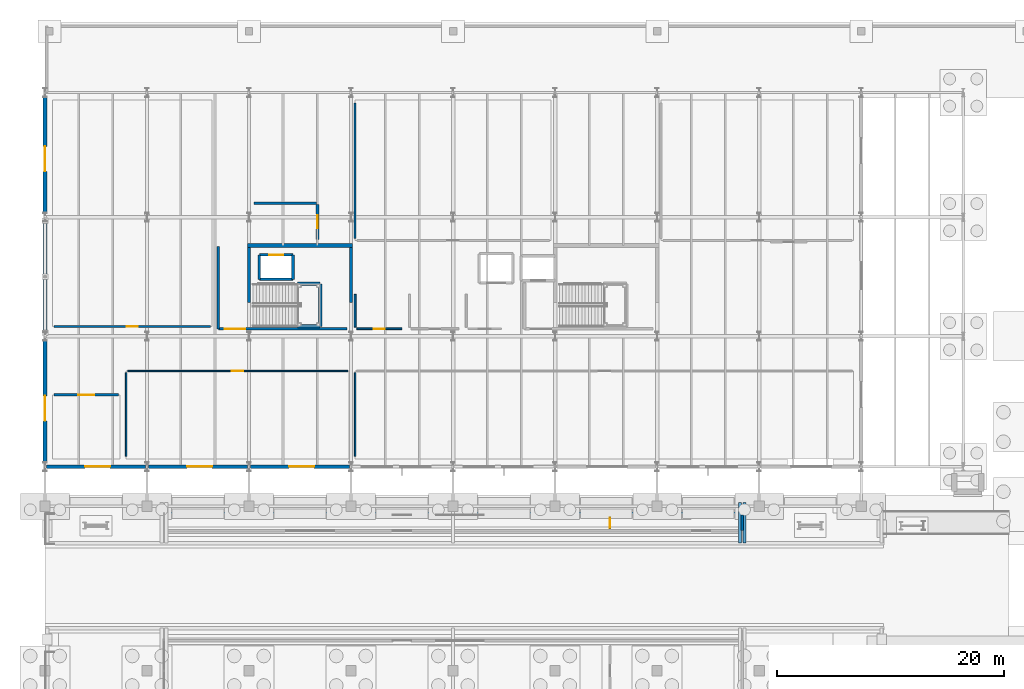
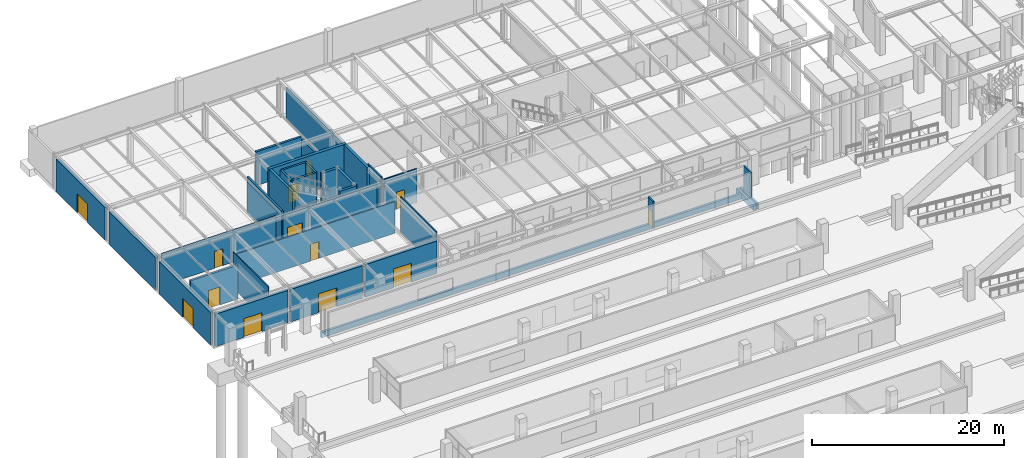
# One storey, part 103 of 160: 33 walls, 13 doors, 13 openings.
"""IFC4 building model written with IfcOpenShell, lengths in metres."""

from ifc_helpers import new_model, si_unit, direction, frame, frame_2d, origin, place, context, subcontext, project, spatial, rectangle, extrude, material, layer, layer_set, type_object, element, fill, save


model = new_model("IFC4")

# Units and contexts
model_context = context("Model", 3, precision=1e-05, world=origin(), true_north=direction((0.0, 1.0)))
body_context = subcontext(model_context, "Body", "Model", "MODEL_VIEW")
ifc_project = project(units=[si_unit("LENGTHUNIT", "METRE"), si_unit("AREAUNIT", "SQUARE_METRE"), si_unit("VOLUMEUNIT", "CUBIC_METRE"), si_unit("PLANEANGLEUNIT", "RADIAN"), si_unit("MASSUNIT", "GRAM", prefix="KILO")], contexts=[model_context])

# Site, building, storey
site_placement = place(None, origin())
site = spatial("IfcSite", under=ifc_project, at=site_placement, CompositionType="ELEMENT")
building_placement = place(site_placement, origin())
building = spatial("IfcBuilding", under=site, at=building_placement, Name="Marlcrest Central Station", CompositionType="ELEMENT")
storey_placement = place(building_placement, origin())
storey = spatial("IfcBuildingStorey", under=building, at=storey_placement, Name="L00", CompositionType="ELEMENT", Elevation=0.0)

# Wall, opening, door
ifc_material_1 = material(Name="Concrete C40/50", Category="concrete")
ifc_layer_1 = layer(ifc_material_1, 0.320068359375, Name="EW-01")
ifc_layer_set_1 = layer_set([ifc_layer_1], Name="Concrete C40/50")
wall_type_1 = type_object("IfcWallType", Name="EW-01", PredefinedType="SOLIDWALL", material=ifc_layer_set_1)
wall_1_placement = place(storey_placement, frame((8.85009765625, 99.0, 0.0), z_axis=(0.0, 0.0, 1.0), x_axis=(-1.0, 0.0, 0.0)))
wall_1 = element("IfcWall", 1, at=wall_1_placement, inside=storey, type_object=wall_type_1, Name="ewall-L00-0097", PredefinedType="SOLIDWALL", context=body_context, shape_type="SweptSolid", body=[
    extrude(rectangle(XDim=8.7001953125, YDim=0.320068359375, at=frame_2d((4.35009765625, 0.0))), origin(), (0.0, 0.0, 1.0), 4.14990234375),
])
opening_1_placement = place(wall_1_placement, frame((3.10009765625, 0.0, 0.0)))
opening_1 = element("IfcOpeningElement", 2, at=opening_1_placement, cuts=wall_1, Name="Opening ED-01", PredefinedType="OPENING", context=body_context, shape_type="SweptSolid", body=[
    extrude(rectangle(XDim=2.199951171875, YDim=2.39990234375, at=frame_2d((1.10009765625, 1.199951171875))), frame((0.0, 0.169921875, 0.0), z_axis=(0.0, -1.0, 0.0), x_axis=(1.0, 0.0, 0.0)), (0.0, 0.0, 1.0), 0.340087890625),
])
ifc_material_2 = material(Name="Thermally broken anodised aluminium and laminated safety glass", Category="aluminium")
door_type_1 = type_object("IfcDoorType", Name="ED-01", OperationType="DOUBLE_DOOR_SINGLE_SWING", PredefinedType="DOOR", material=ifc_material_2)
door_1_placement = place(opening_1_placement, origin())
door_1 = element("IfcDoor", 3, at=door_1_placement, inside=storey, type_object=door_type_1, Name="Operations South Exit Door 031", OperationType="DOUBLE_DOOR_SINGLE_SWING", OverallHeight=2.39990234375, OverallWidth=2.199951171875, PredefinedType="DOOR", context=body_context, shape_type="SweptSolid", body=[
    extrude(rectangle(XDim=2.199951171875, YDim=2.39990234375, at=frame_2d((1.10009765625, 1.199951171875))), frame((0.0, 0.02490234375, 0.0), z_axis=(0.0, -1.0, 0.0), x_axis=(1.0, 0.0, 0.0)), (0.0, 0.0, 1.0), 0.050048828125),
])
fill(opening_1, door_1)

wall_2_placement = place(storey_placement, frame((17.85009765625, 99.0, 0.0), z_axis=(0.0, 0.0, 1.0), x_axis=(-1.0, 0.0, 0.0)))
wall_2 = element("IfcWall", 4, at=wall_2_placement, inside=storey, type_object=wall_type_1, Name="ewall-L00-0098", PredefinedType="SOLIDWALL", context=body_context, shape_type="SweptSolid", body=[
    extrude(rectangle(XDim=8.7001953125, YDim=0.320068359375, at=frame_2d((4.35009765625, 0.0))), origin(), (0.0, 0.0, 1.0), 4.14990234375),
])
opening_2_placement = place(wall_2_placement, frame((3.10009765625, 0.0, 0.0)))
opening_2 = element("IfcOpeningElement", 5, at=opening_2_placement, cuts=wall_2, Name="Opening ED-01", PredefinedType="OPENING", context=body_context, shape_type="SweptSolid", body=[
    extrude(rectangle(XDim=2.199951171875, YDim=2.39990234375, at=frame_2d((1.10009765625, 1.199951171875))), frame((0.0, 0.169921875, 0.0), z_axis=(0.0, -1.0, 0.0), x_axis=(1.0, 0.0, 0.0)), (0.0, 0.0, 1.0), 0.340087890625),
])
door_2_placement = place(opening_2_placement, origin())
door_2 = element("IfcDoor", 6, at=door_2_placement, inside=storey, type_object=door_type_1, Name="Operations South Exit Door 032", OperationType="DOUBLE_DOOR_SINGLE_SWING", OverallHeight=2.39990234375, OverallWidth=2.199951171875, PredefinedType="DOOR", context=body_context, shape_type="SweptSolid", body=[
    extrude(rectangle(XDim=2.199951171875, YDim=2.39990234375, at=frame_2d((1.10009765625, 1.199951171875))), frame((0.0, 0.02490234375, 0.0), z_axis=(0.0, -1.0, 0.0), x_axis=(1.0, 0.0, 0.0)), (0.0, 0.0, 1.0), 0.050048828125),
])
fill(opening_2, door_2)

wall_3_placement = place(storey_placement, frame((26.85009765625, 99.0, 0.0), z_axis=(0.0, 0.0, 1.0), x_axis=(-1.0, 0.0, 0.0)))
wall_3 = element("IfcWall", 7, at=wall_3_placement, inside=storey, type_object=wall_type_1, Name="ewall-L00-0099", PredefinedType="SOLIDWALL", context=body_context, shape_type="SweptSolid", body=[
    extrude(rectangle(XDim=8.7001953125, YDim=0.320068359375, at=frame_2d((4.35009765625, 0.0))), origin(), (0.0, 0.0, 1.0), 4.14990234375),
])
opening_3_placement = place(wall_3_placement, frame((3.10009765625, 0.0, 0.0)))
opening_3 = element("IfcOpeningElement", 8, at=opening_3_placement, cuts=wall_3, Name="Opening ED-01", PredefinedType="OPENING", context=body_context, shape_type="SweptSolid", body=[
    extrude(rectangle(XDim=2.199951171875, YDim=2.39990234375, at=frame_2d((1.10009765625, 1.199951171875))), frame((0.0, 0.169921875, 0.0), z_axis=(0.0, -1.0, 0.0), x_axis=(1.0, 0.0, 0.0)), (0.0, 0.0, 1.0), 0.340087890625),
])
door_3_placement = place(opening_3_placement, origin())
door_3 = element("IfcDoor", 9, at=door_3_placement, inside=storey, type_object=door_type_1, Name="Operations South Exit Door 033", OperationType="DOUBLE_DOOR_SINGLE_SWING", OverallHeight=2.39990234375, OverallWidth=2.199951171875, PredefinedType="DOOR", context=body_context, shape_type="SweptSolid", body=[
    extrude(rectangle(XDim=2.199951171875, YDim=2.39990234375, at=frame_2d((1.10009765625, 1.199951171875))), frame((0.0, 0.02490234375, 0.0), z_axis=(0.0, -1.0, 0.0), x_axis=(1.0, 0.0, 0.0)), (0.0, 0.0, 1.0), 0.050048828125),
])
fill(opening_3, door_3)

wall_4_placement = place(storey_placement, frame((0.0, 99.39990234375, 0.0), z_axis=(0.0, 0.0, 1.0), x_axis=(0.0, 1.0, 0.0)))
wall_4 = element("IfcWall", 10, at=wall_4_placement, inside=storey, type_object=wall_type_1, Name="ewall-L00-0105", PredefinedType="SOLIDWALL", context=body_context, shape_type="SweptSolid", body=[
    extrude(rectangle(XDim=10.7001953125, YDim=0.320068359375, at=frame_2d((5.35009765625, 0.0))), origin(), (0.0, 0.0, 1.0), 4.14990234375),
])
opening_4_placement = place(wall_4_placement, frame((3.64990234375, 0.0, 0.0)))
opening_4 = element("IfcOpeningElement", 11, at=opening_4_placement, cuts=wall_4, Name="Opening ED-01", PredefinedType="OPENING", context=body_context, shape_type="SweptSolid", body=[
    extrude(rectangle(XDim=2.199951171875, YDim=2.39990234375, at=frame_2d((1.10009765625, 1.199951171875))), frame((0.0, 0.169921875, 0.0), z_axis=(0.0, -1.0, 0.0), x_axis=(1.0, 0.0, 0.0)), (0.0, 0.0, 1.0), 0.340087890625),
])
door_4_placement = place(opening_4_placement, origin())
door_4 = element("IfcDoor", 12, at=door_4_placement, inside=storey, type_object=door_type_1, Name="Operations West Exit Door 036", OperationType="DOUBLE_DOOR_SINGLE_SWING", OverallHeight=2.39990234375, OverallWidth=2.199951171875, PredefinedType="DOOR", context=body_context, shape_type="SweptSolid", body=[
    extrude(rectangle(XDim=2.199951171875, YDim=2.39990234375, at=frame_2d((1.10009765625, 1.199951171875))), frame((0.0, 0.02490234375, 0.0), z_axis=(0.0, -1.0, 0.0), x_axis=(1.0, 0.0, 0.0)), (0.0, 0.0, 1.0), 0.050048828125),
])
fill(opening_4, door_4)

# Wall
wall_5_placement = place(storey_placement, frame((0.0, 110.89990234375, 0.0), z_axis=(0.0, 0.0, 1.0), x_axis=(0.0, 1.0, 0.0)))
element("IfcWall", 13, at=wall_5_placement, inside=storey, type_object=wall_type_1, Name="ewall-L00-0106", PredefinedType="SOLIDWALL", context=body_context, shape_type="SweptSolid", body=[
    extrude(rectangle(XDim=9.7001953125, YDim=0.320068359375, at=frame_2d((4.85009765625, 0.0))), origin(), (0.0, 0.0, 1.0), 4.14990234375),
])

# Wall, opening, door
wall_6_placement = place(storey_placement, frame((0.0, 121.39990234375, 0.0), z_axis=(0.0, 0.0, 1.0), x_axis=(0.0, 1.0, 0.0)))
wall_6 = element("IfcWall", 14, at=wall_6_placement, inside=storey, type_object=wall_type_1, Name="ewall-L00-0107", PredefinedType="SOLIDWALL", context=body_context, shape_type="SweptSolid", body=[
    extrude(rectangle(XDim=10.2001953125, YDim=0.320068359375, at=frame_2d((5.10009765625, 0.0))), origin(), (0.0, 0.0, 1.0), 4.14990234375),
])
opening_5_placement = place(wall_6_placement, frame((3.64990234375, 0.0, 0.0)))
opening_5 = element("IfcOpeningElement", 15, at=opening_5_placement, cuts=wall_6, Name="Opening ED-01", PredefinedType="OPENING", context=body_context, shape_type="SweptSolid", body=[
    extrude(rectangle(XDim=2.199951171875, YDim=2.39990234375, at=frame_2d((1.10009765625, 1.199951171875))), frame((0.0, 0.169921875, 0.0), z_axis=(0.0, -1.0, 0.0), x_axis=(1.0, 0.0, 0.0)), (0.0, 0.0, 1.0), 0.340087890625),
])
door_5_placement = place(opening_5_placement, origin())
door_5 = element("IfcDoor", 16, at=door_5_placement, inside=storey, type_object=door_type_1, Name="Operations West Exit Door 037", OperationType="DOUBLE_DOOR_SINGLE_SWING", OverallHeight=2.39990234375, OverallWidth=2.199951171875, PredefinedType="DOOR", context=body_context, shape_type="SweptSolid", body=[
    extrude(rectangle(XDim=2.199951171875, YDim=2.39990234375, at=frame_2d((1.10009765625, 1.199951171875))), frame((0.0, 0.02490234375, 0.0), z_axis=(0.0, -1.0, 0.0), x_axis=(1.0, 0.0, 0.0)), (0.0, 0.0, 1.0), 0.050048828125),
])
fill(opening_5, door_5)

# Wall
ifc_material_3 = material(Name="Concrete C35/45", Category="concrete")
ifc_layer_2 = layer(ifc_material_3, 0.2099609375, Name="EW-08")
ifc_layer_set_2 = layer_set([ifc_layer_2], Name="Concrete C35/45")
wall_type_2 = type_object("IfcWallType", Name="EW-08", PredefinedType="SOLIDWALL", material=ifc_layer_set_2)
wall_7_placement = place(storey_placement, frame((61.5, 94.75, 0.9150390625), z_axis=(0.0, 0.0, 1.0), x_axis=(0.0, -1.0, 0.0)))
element("IfcWall", 17, at=wall_7_placement, inside=storey, type_object=wall_type_2, Name="ewall-L00-0241", PredefinedType="SOLIDWALL", context=body_context, shape_type="SweptSolid", body=[
    extrude(rectangle(XDim=1.39990234375, YDim=0.2099609375, at=frame_2d((0.699951171875, 0.0))), origin(), (0.0, 0.0, 1.0), 3.18505859375),
])

# Wall, opening, door
ifc_material_4 = material(Name="Acoustic steel-stud gypsum board partition", Category="steel")
ifc_layer_3 = layer(ifc_material_4, 0.1201171875, Name="PT-01")
ifc_layer_set_3 = layer_set([ifc_layer_3], Name="Acoustic steel-stud gypsum board partition")
wall_type_3 = type_object("IfcWallType", Name="PT-01", PredefinedType="PARTITIONING", material=ifc_layer_set_3)
wall_8_placement = place(storey_placement, frame((7.31005859375, 107.43994140625, 0.0), z_axis=(0.0, 0.0, 1.0), x_axis=(1.0, 0.0, 0.0)))
wall_8 = element("IfcWall", 18, at=wall_8_placement, inside=storey, type_object=wall_type_3, Name="iwall-L00-00053", PredefinedType="PARTITIONING", context=body_context, shape_type="SweptSolid", body=[
    extrude(rectangle(XDim=19.3798828125, YDim=0.1201171875, at=frame_2d((9.68994140625, 0.0))), origin(), (0.0, 0.0, 1.0), 4.030029296875),
])
opening_6_placement = place(wall_8_placement, frame((9.18994140625, 0.0, 0.0)))
opening_6 = element("IfcOpeningElement", 19, at=opening_6_placement, cuts=wall_8, Name="Opening ID-02", PredefinedType="OPENING", context=body_context, shape_type="SweptSolid", body=[
    extrude(rectangle(XDim=1.0, YDim=2.14990234375, at=frame_2d((0.5, 1.074951171875))), frame((0.0, 0.070068359375, 0.0), z_axis=(0.0, -1.0, 0.0), x_axis=(1.0, 0.0, 0.0)), (0.0, 0.0, 1.0), 0.14013671875),
])
ifc_material_5 = material(Name="Solid-core hardwood office door", Category="wood")
door_type_2 = type_object("IfcDoorType", Name="ID-02", OperationType="NOTDEFINED", PredefinedType="DOOR", material=ifc_material_5)
door_6_placement = place(opening_6_placement, origin())
door_6 = element("IfcDoor", 20, at=door_6_placement, inside=storey, type_object=door_type_2, Name="L00-V5A 0034", OperationType="SINGLE_SWING_LEFT", OverallHeight=2.14990234375, OverallWidth=1.0, PredefinedType="DOOR", context=body_context, shape_type="SweptSolid", body=[
    extrude(rectangle(XDim=1.0, YDim=2.14990234375, at=frame_2d((0.5, 1.074951171875))), frame((0.0, 0.02490234375, 0.0), z_axis=(0.0, -1.0, 0.0), x_axis=(1.0, 0.0, 0.0)), (0.0, 0.0, 1.0), 0.050048828125),
])
fill(opening_6, door_6)

# Walls
for number, where, z_axis, x_axis, name in (
    (21, (7.159912109375, 99.909912109375, 0.0), (0.0, 0.0, 1.0), (0.0, 1.0, 0.0), "iwall-L00-00054"),
    (22, (27.360107421875, 99.909912109375, 0.0), (0.0, 0.0, 1.0), (0.0, 1.0, 0.0), "iwall-L00-00056"),
):
    element("IfcWall", number, at=place(storey_placement, frame(where, z_axis=z_axis, x_axis=x_axis)), inside=storey, type_object=wall_type_3, Name=name, PredefinedType="PARTITIONING", context=body_context, shape_type="SweptSolid", body=[
        extrude(rectangle(XDim=7.380126953125, YDim=0.1201171875, at=frame_2d((3.68994140625, 0.0))), origin(), (0.0, 0.0, 1.0), 4.550048828125),
    ])

# Wall, opening, door
ifc_material_6 = material(Name="Moisture-resistant tiled sanitary partition")
ifc_layer_4 = layer(ifc_material_6, 0.159912109375, Name="PT-03")
ifc_layer_set_4 = layer_set([ifc_layer_4], Name="Moisture-resistant tiled sanitary partition")
wall_type_4 = type_object("IfcWallType", Name="PT-03", PredefinedType="PARTITIONING", material=ifc_layer_set_4)
wall_9_placement = place(storey_placement, frame((31.489990234375, 111.159912109375, 0.0), z_axis=(0.0, 0.0, 1.0), x_axis=(-1.0, 0.0, 0.0)))
wall_9 = element("IfcWall", 23, at=wall_9_placement, inside=storey, type_object=wall_type_4, Name="iwall-L00-00064", PredefinedType="PARTITIONING", context=body_context, shape_type="SweptSolid", body=[
    extrude(rectangle(XDim=3.97998046875, YDim=0.159912109375, at=frame_2d((1.989990234375, 0.0))), origin(), (0.0, 0.0, 1.0), 4.31005859375),
])
opening_7_placement = place(wall_9_placement, frame((1.514892578125, 0.0, 0.0)))
opening_7 = element("IfcOpeningElement", 24, at=opening_7_placement, cuts=wall_9, Name="Opening ID-01", PredefinedType="OPENING", context=body_context, shape_type="SweptSolid", body=[
    extrude(rectangle(XDim=0.949951171875, YDim=2.14990234375, at=frame_2d((0.47509765625, 1.074951171875))), frame((0.0, 0.08984375, 0.0), z_axis=(0.0, -1.0, 0.0), x_axis=(1.0, 0.0, 0.0)), (0.0, 0.0, 1.0), 0.179931640625),
])
ifc_material_7 = material(Name="Solid-core hardwood acoustic door", Category="wood")
door_type_3 = type_object("IfcDoorType", Name="ID-01", OperationType="NOTDEFINED", PredefinedType="DOOR", material=ifc_material_7)
door_7_placement = place(opening_7_placement, origin())
door_7 = element("IfcDoor", 25, at=door_7_placement, inside=storey, type_object=door_type_3, Name="L00-WC-W1 0040", OperationType="SINGLE_SWING_LEFT", OverallHeight=2.14990234375, OverallWidth=0.949951171875, PredefinedType="DOOR", context=body_context, shape_type="SweptSolid", body=[
    extrude(rectangle(XDim=0.949951171875, YDim=2.14990234375, at=frame_2d((0.47509765625, 1.074951171875))), frame((0.0, 0.02490234375, 0.0), z_axis=(0.0, -1.0, 0.0), x_axis=(1.0, 0.0, 0.0)), (0.0, 0.0, 1.0), 0.050048828125),
])
fill(opening_7, door_7)

# Wall
wall_10_placement = place(storey_placement, frame((27.360107421875, 111.31005859375, 0.0), z_axis=(0.0, 0.0, 1.0), x_axis=(0.0, 1.0, 0.0)))
element("IfcWall", 26, at=wall_10_placement, inside=storey, type_object=wall_type_4, Name="iwall-L00-00065", PredefinedType="PARTITIONING", context=body_context, shape_type="SweptSolid", body=[
    extrude(rectangle(XDim=2.8798828125, YDim=0.159912109375, at=frame_2d((1.43994140625, 0.0))), origin(), (0.0, 0.0, 1.0), 4.550048828125),
])

# Wall, opening, door
ifc_material_8 = material(Name="Fire-rated corridor blockwork partition", Category="masonry")
ifc_layer_5 = layer(ifc_material_8, 0.179931640625, Name="PT-04")
ifc_layer_set_5 = layer_set([ifc_layer_5], Name="Fire-rated corridor blockwork partition")
wall_type_5 = type_object("IfcWallType", Name="PT-04", PredefinedType="PARTITIONING", material=ifc_layer_set_5)
wall_11_placement = place(storey_placement, frame((49.860107421875, 93.510009765625, 0.9150390625), z_axis=(0.0, 0.0, 1.0), x_axis=(0.0, 1.0, 0.0)))
wall_11 = element("IfcWall", 27, at=wall_11_placement, inside=storey, type_object=wall_type_5, Name="iwall-L00-00026", PredefinedType="PARTITIONING", context=body_context, shape_type="SweptSolid", body=[
    extrude(rectangle(XDim=1.080078125, YDim=0.179931640625, at=frame_2d((0.5400390625, 0.0))), origin(), (0.0, 0.0, 1.0), 3.43505859375),
])
opening_8_placement = place(wall_11_placement, frame((0.080078125, 0.0, 0.0)))
opening_8 = element("IfcOpeningElement", 28, at=opening_8_placement, cuts=wall_11, Name="Opening ID-07", PredefinedType="OPENING", context=body_context, shape_type="SweptSolid", body=[
    extrude(rectangle(XDim=0.919921875, YDim=2.10009765625, at=frame_2d((0.4599609375, 1.050048828125))), frame((0.0, 0.099853515625, 0.0), z_axis=(0.0, -1.0, 0.0), x_axis=(1.0, 0.0, 0.0)), (0.0, 0.0, 1.0), 0.199951171875),
])
ifc_material_9 = material(Name="Cleaner and store room door")
door_type_4 = type_object("IfcDoorType", Name="ID-07", OperationType="NOTDEFINED", PredefinedType="DOOR", material=ifc_material_9)
door_8_placement = place(opening_8_placement, origin())
door_8 = element("IfcDoor", 29, at=door_8_placement, inside=storey, type_object=door_type_4, Name="L00-PD5 0018", OperationType="SINGLE_SWING_LEFT", OverallHeight=2.10009765625, OverallWidth=0.919921875, PredefinedType="DOOR", context=body_context, shape_type="SweptSolid", body=[
    extrude(rectangle(XDim=0.919921875, YDim=2.10009765625, at=frame_2d((0.4599609375, 1.050048828125))), frame((0.0, 0.02490234375, 0.0), z_axis=(0.0, -1.0, 0.0), x_axis=(1.0, 0.0, 0.0)), (0.0, 0.0, 1.0), 0.050048828125),
])
fill(opening_8, door_8)

wall_12_placement = place(storey_placement, frame((14.590087890625, 111.360107421875, 0.0), z_axis=(0.0, 0.0, 1.0), x_axis=(-1.0, 0.0, 0.0)))
wall_12 = element("IfcWall", 30, at=wall_12_placement, inside=storey, type_object=wall_type_5, Name="iwall-L00-00057", PredefinedType="PARTITIONING", context=body_context, shape_type="SweptSolid", body=[
    extrude(rectangle(XDim=13.780029296875, YDim=0.179931640625, at=frame_2d((6.89013671875, 0.0))), origin(), (0.0, 0.0, 1.0), 4.030029296875),
])
opening_9_placement = place(wall_12_placement, frame((6.389892578125, 0.0, 0.0)))
opening_9 = element("IfcOpeningElement", 31, at=opening_9_placement, cuts=wall_12, Name="Opening ID-02", PredefinedType="OPENING", context=body_context, shape_type="SweptSolid", body=[
    extrude(rectangle(XDim=1.0, YDim=2.14990234375, at=frame_2d((0.5, 1.074951171875))), frame((0.0, 0.099853515625, 0.0), z_axis=(0.0, -1.0, 0.0), x_axis=(1.0, 0.0, 0.0)), (0.0, 0.0, 1.0), 0.199951171875),
])
door_9_placement = place(opening_9_placement, origin())
door_9 = element("IfcDoor", 32, at=door_9_placement, inside=storey, type_object=door_type_2, Name="L00-V5D 0036", OperationType="SINGLE_SWING_LEFT", OverallHeight=2.14990234375, OverallWidth=1.0, PredefinedType="DOOR", context=body_context, shape_type="SweptSolid", body=[
    extrude(rectangle(XDim=1.0, YDim=2.14990234375, at=frame_2d((0.5, 1.074951171875))), frame((0.0, 0.02490234375, 0.0), z_axis=(0.0, -1.0, 0.0), x_axis=(1.0, 0.0, 0.0)), (0.0, 0.0, 1.0), 0.050048828125),
])
fill(opening_9, door_9)

# Walls
wall_13_placement = place(storey_placement, frame((27.360107421875, 119.110107421875, 0.0), z_axis=(0.0, 0.0, 1.0), x_axis=(0.0, 1.0, 0.0)))
element("IfcWall", 33, at=wall_13_placement, inside=storey, type_object=wall_type_5, Name="iwall-L00-00059", PredefinedType="PARTITIONING", context=body_context, shape_type="SweptSolid", body=[
    extrude(rectangle(XDim=11.97998046875, YDim=0.179931640625, at=frame_2d((5.989990234375, 0.0))), origin(), (0.0, 0.0, 1.0), 4.030029296875),
])
ifc_layer_6 = layer(ifc_material_3, 0.27490234375, Name="PW-01")
ifc_layer_set_6 = layer_set([ifc_layer_6], Name="Concrete C35/45")
wall_type_6 = type_object("IfcWallType", Name="PW-01", PredefinedType="SOLIDWALL", material=ifc_layer_set_6)
wall_14_placement = place(storey_placement, frame((10.5, 94.85009765625, 0.0), z_axis=(0.0, 0.0, 1.0), x_axis=(1.0, 0.0, 0.0)))
element("IfcWall", 34, at=wall_14_placement, inside=storey, type_object=wall_type_6, Name="swall-L00-0146", PredefinedType="SOLIDWALL", context=body_context, shape_type="SweptSolid", body=[
    extrude(rectangle(XDim=51.0, YDim=0.27490234375, at=frame_2d((25.5, 0.0))), origin(), (0.0, 0.0, 1.0), 0.675048828125),
])
for number, where, z_axis, x_axis, name in (
    (35, (61.300048828125, 92.25, 0.0), (0.0, 0.0, 1.0), (0.0, 1.0, 0.0), "swall-L00-0151"),
    (36, (61.699951171875, 92.25, 0.0), (0.0, 0.0, 1.0), (0.0, 1.0, 0.0), "swall-L00-0152"),
):
    element("IfcWall", number, at=place(storey_placement, frame(where, z_axis=z_axis, x_axis=x_axis)), inside=storey, type_object=wall_type_6, Name=name, PredefinedType="SOLIDWALL", context=body_context, shape_type="SweptSolid", body=[
        extrude(rectangle(XDim=3.60009765625, YDim=0.27490234375, at=frame_2d((1.800048828125, 0.0))), origin(), (0.0, 0.0, 1.0), 0.675048828125),
    ])

# Wall, opening, door
ifc_layer_7 = layer(ifc_material_1, 0.22998046875, Name="SHW-01")
ifc_layer_set_7 = layer_set([ifc_layer_7], Name="Concrete C40/50")
wall_type_7 = type_object("IfcWallType", Name="SHW-01", PredefinedType="SOLIDWALL", material=ifc_layer_set_7)
wall_15_placement = place(storey_placement, frame((18.919921875, 117.679931640625, 0.0), z_axis=(0.0, 0.0, 1.0), x_axis=(1.0, 0.0, 0.0)))
wall_15 = element("IfcWall", 37, at=wall_15_placement, inside=storey, type_object=wall_type_7, Name="iwall-L00-00347", PredefinedType="SOLIDWALL", context=body_context, shape_type="SweptSolid", body=[
    extrude(rectangle(XDim=2.9599609375, YDim=0.22998046875, at=frame_2d((1.47998046875, 0.0))), origin(), (0.0, 0.0, 1.0), 4.56005859375),
])
opening_10_placement = place(wall_15_placement, frame((0.85498046875, 0.0, 0.0)))
opening_10 = element("IfcOpeningElement", 38, at=opening_10_placement, cuts=wall_15, Name="Opening LD-02", PredefinedType="OPENING", context=body_context, shape_type="SweptSolid", body=[
    extrude(rectangle(XDim=1.25, YDim=2.199951171875, at=frame_2d((0.625, 1.10009765625))), frame((0.0, 0.125, 0.0), z_axis=(0.0, -1.0, 0.0), x_axis=(1.0, 0.0, 0.0)), (0.0, 0.0, 1.0), 0.25),
])
ifc_material_10 = material(Name="Stainless steel stretcher/firefighting lift landing door", Category="steel")
door_type_5 = type_object("IfcDoorType", Name="LD-02", OperationType="DOUBLE_DOOR_SLIDING", PredefinedType="DOOR", material=ifc_material_10)
door_10_placement = place(opening_10_placement, origin())
door_10 = element("IfcDoor", 39, at=door_10_placement, inside=storey, type_object=door_type_5, Name="LF-FF1 Lift Landing Door 0157", OperationType="DOUBLE_DOOR_SLIDING", OverallHeight=2.199951171875, OverallWidth=1.25, PredefinedType="DOOR", context=body_context, shape_type="SweptSolid", body=[
    extrude(rectangle(XDim=1.25, YDim=2.199951171875, at=frame_2d((0.625, 1.10009765625))), frame((0.0, 0.02490234375, 0.0), z_axis=(0.0, -1.0, 0.0), x_axis=(1.0, 0.0, 0.0)), (0.0, 0.0, 1.0), 0.050048828125),
])
fill(opening_10, door_10)

# Walls
wall_16_placement = place(storey_placement, frame((21.8798828125, 115.52001953125, 0.0), z_axis=(0.0, 0.0, 1.0), x_axis=(-1.0, 0.0, 0.0)))
element("IfcWall", 40, at=wall_16_placement, inside=storey, type_object=wall_type_7, Name="iwall-L00-00348", PredefinedType="SOLIDWALL", context=body_context, shape_type="SweptSolid", body=[
    extrude(rectangle(XDim=2.9599609375, YDim=0.22998046875, at=frame_2d((1.47998046875, 0.0))), origin(), (0.0, 0.0, 1.0), 4.56005859375),
])
for number, where, z_axis, x_axis, name in (
    (41, (18.919921875, 115.52001953125, 0.0), (0.0, 0.0, 1.0), (0.0, 1.0, 0.0), "iwall-L00-00349"),
    (42, (21.8798828125, 117.679931640625, 0.0), (0.0, 0.0, 1.0), (0.0, -1.0, 0.0), "iwall-L00-00350"),
):
    element("IfcWall", number, at=place(storey_placement, frame(where, z_axis=z_axis, x_axis=x_axis)), inside=storey, type_object=wall_type_7, Name=name, PredefinedType="SOLIDWALL", context=body_context, shape_type="SweptSolid", body=[
        extrude(rectangle(XDim=2.159912109375, YDim=0.22998046875, at=frame_2d((1.080078125, 0.0))), origin(), (0.0, 0.0, 1.0), 4.56005859375),
    ])

# Wall, opening, door
wall_17_placement = place(storey_placement, frame((15.300048828125, 111.14990234375, 0.0), z_axis=(0.0, 0.0, 1.0), x_axis=(1.0, 0.0, 0.0)))
wall_17 = element("IfcWall", 43, at=wall_17_placement, inside=storey, type_object=wall_type_7, Name="iwall-L00-00429", PredefinedType="SOLIDWALL", context=body_context, shape_type="SweptSolid", body=[
    extrude(rectangle(XDim=11.349853515625, YDim=0.22998046875, at=frame_2d((5.6748046875, 0.0))), origin(), (0.0, 0.0, 1.0), 4.030029296875),
])
opening_11_placement = place(wall_17_placement, frame((0.550048828125, 0.0, 0.0)))
opening_11 = element("IfcOpeningElement", 44, at=opening_11_placement, cuts=wall_17, Name="Opening FD-90D", PredefinedType="OPENING", context=body_context, shape_type="SweptSolid", body=[
    extrude(rectangle(XDim=1.800048828125, YDim=2.300048828125, at=frame_2d((0.89990234375, 1.14990234375))), frame((0.0, 0.125, 0.0), z_axis=(0.0, -1.0, 0.0), x_axis=(1.0, 0.0, 0.0)), (0.0, 0.0, 1.0), 0.25),
])
ifc_material_11 = material(Name="90-minute double exit-stair fire door")
door_type_6 = type_object("IfcDoorType", Name="FD-90D", OperationType="DOUBLE_DOOR_SINGLE_SWING", PredefinedType="DOOR", material=ifc_material_11)
door_11_placement = place(opening_11_placement, origin())
door_11 = element("IfcDoor", 45, at=door_11_placement, inside=storey, type_object=door_type_6, Name="ST-W10 Stair Door 0184", OperationType="DOUBLE_DOOR_SINGLE_SWING", OverallHeight=2.300048828125, OverallWidth=1.800048828125, PredefinedType="DOOR", context=body_context, shape_type="SweptSolid", body=[
    extrude(rectangle(XDim=1.800048828125, YDim=2.300048828125, at=frame_2d((0.89990234375, 1.14990234375))), frame((0.0, 0.02490234375, 0.0), z_axis=(0.0, -1.0, 0.0), x_axis=(1.0, 0.0, 0.0)), (0.0, 0.0, 1.0), 0.050048828125),
])
fill(opening_11, door_11)

# Wall
wall_18_placement = place(storey_placement, frame((15.300048828125, 111.14990234375, 0.0), z_axis=(0.0, 0.0, 1.0), x_axis=(0.0, 1.0, 0.0)))
element("IfcWall", 46, at=wall_18_placement, inside=storey, type_object=wall_type_7, Name="iwall-L00-00430", PredefinedType="SOLIDWALL", context=body_context, shape_type="SweptSolid", body=[
    extrude(rectangle(XDim=7.25, YDim=0.22998046875, at=frame_2d((3.625, 0.0))), origin(), (0.0, 0.0, 1.0), 4.550048828125),
])

# Wall, opening, door
ifc_layer_8 = layer(ifc_material_1, 0.25, Name="SHW-02")
ifc_layer_set_8 = layer_set([ifc_layer_8], Name="Concrete C40/50")
wall_type_8 = type_object("IfcWallType", Name="SHW-02", PredefinedType="SOLIDWALL", material=ifc_layer_set_8)
wall_19_placement = place(storey_placement, frame((0.81005859375, 105.340087890625, 0.0), z_axis=(0.0, 0.0, 1.0), x_axis=(1.0, 0.0, 0.0)))
wall_19 = element("IfcWall", 47, at=wall_19_placement, inside=storey, type_object=wall_type_8, Name="iwall-L00-00052", PredefinedType="SOLIDWALL", context=body_context, shape_type="SweptSolid", body=[
    extrude(rectangle(XDim=5.679931640625, YDim=0.25, at=frame_2d((2.83984375, 0.0))), origin(), (0.0, 0.0, 1.0), 4.31005859375),
])
opening_12_placement = place(wall_19_placement, frame((2.139892578125, 0.0, 0.0)))
opening_12 = element("IfcOpeningElement", 48, at=opening_12_placement, cuts=wall_19, Name="Opening FD-120", PredefinedType="OPENING", context=body_context, shape_type="SweptSolid", body=[
    extrude(rectangle(XDim=1.39990234375, YDim=2.300048828125, at=frame_2d((0.699951171875, 1.14990234375))), frame((0.0, 0.135009765625, 0.0), z_axis=(0.0, -1.0, 0.0), x_axis=(1.0, 0.0, 0.0)), (0.0, 0.0, 1.0), 0.27001953125),
])
ifc_material_12 = material(Name="120-minute plant and substation fire door")
door_type_7 = type_object("IfcDoorType", Name="FD-120", OperationType="NOTDEFINED", PredefinedType="DOOR", material=ifc_material_12)
door_12_placement = place(opening_12_placement, origin())
door_12 = element("IfcDoor", 49, at=door_12_placement, inside=storey, type_object=door_type_7, Name="L00-FCC 0033", OperationType="SINGLE_SWING_RIGHT", OverallHeight=2.300048828125, OverallWidth=1.39990234375, PredefinedType="DOOR", context=body_context, shape_type="SweptSolid", body=[
    extrude(rectangle(XDim=1.39990234375, YDim=2.300048828125, at=frame_2d((0.699951171875, 1.14990234375))), frame((0.0, 0.02490234375, 0.0), z_axis=(0.0, -1.0, 0.0), x_axis=(1.0, 0.0, 0.0)), (0.0, 0.0, 1.0), 0.050048828125),
])
fill(opening_12, door_12)

wall_20_placement = place(storey_placement, frame((24.0400390625, 119.06005859375, 0.0), z_axis=(0.0, 0.0, 1.0), x_axis=(0.0, 1.0, 0.0)))
wall_20 = element("IfcWall", 50, at=wall_20_placement, inside=storey, type_object=wall_type_8, Name="iwall-L00-00062", PredefinedType="SOLIDWALL", context=body_context, shape_type="SweptSolid", body=[
    extrude(rectangle(XDim=3.079833984375, YDim=0.25, at=frame_2d((1.5400390625, 0.0))), origin(), (0.0, 0.0, 1.0), 4.030029296875),
])
opening_13_placement = place(wall_20_placement, frame((0.965087890625, 0.0, 0.0)))
opening_13 = element("IfcOpeningElement", 51, at=opening_13_placement, cuts=wall_20, Name="Opening FD-90", PredefinedType="OPENING", context=body_context, shape_type="SweptSolid", body=[
    extrude(rectangle(XDim=1.14990234375, YDim=2.199951171875, at=frame_2d((0.574951171875, 1.10009765625))), frame((0.0, 0.135009765625, 0.0), z_axis=(0.0, -1.0, 0.0), x_axis=(1.0, 0.0, 0.0)), (0.0, 0.0, 1.0), 0.27001953125),
])
ifc_material_13 = material(Name="90-minute stair and firefighting-lobby fire door")
door_type_8 = type_object("IfcDoorType", Name="FD-90", OperationType="NOTDEFINED", PredefinedType="DOOR", material=ifc_material_13)
door_13_placement = place(opening_13_placement, origin())
door_13 = element("IfcDoor", 52, at=door_13_placement, inside=storey, type_object=door_type_8, Name="L00-FFL 0039", OperationType="SINGLE_SWING_RIGHT", OverallHeight=2.199951171875, OverallWidth=1.14990234375, PredefinedType="DOOR", context=body_context, shape_type="SweptSolid", body=[
    extrude(rectangle(XDim=1.14990234375, YDim=2.199951171875, at=frame_2d((0.574951171875, 1.10009765625))), frame((0.0, 0.02490234375, 0.0), z_axis=(0.0, -1.0, 0.0), x_axis=(1.0, 0.0, 0.0)), (0.0, 0.0, 1.0), 0.050048828125),
])
fill(opening_13, door_13)

# Walls
wall_21_placement = place(storey_placement, frame((18.4599609375, 122.239990234375, 0.0), z_axis=(0.0, 0.0, 1.0), x_axis=(1.0, 0.0, 0.0)))
element("IfcWall", 53, at=wall_21_placement, inside=storey, type_object=wall_type_8, Name="iwall-L00-00063", PredefinedType="SOLIDWALL", context=body_context, shape_type="SweptSolid", body=[
    extrude(rectangle(XDim=5.47998046875, YDim=0.25, at=frame_2d((2.739990234375, 0.0))), origin(), (0.0, 0.0, 1.0), 4.31005859375),
])
ifc_material_14 = material(Name="Concrete C50/60", Category="concrete")
ifc_layer_9 = layer(ifc_material_14, 0.35009765625, Name="SW-01")
ifc_layer_set_9 = layer_set([ifc_layer_9], Name="Concrete C50/60")
wall_type_9 = type_object("IfcWallType", Name="SW-01", PredefinedType="SHEAR", material=ifc_layer_set_9)
wall_22_placement = place(storey_placement, frame((17.85009765625, 118.5, 0.0), z_axis=(0.0, 0.0, 1.0), x_axis=(1.0, 0.0, 0.0)))
element("IfcWall", 54, at=wall_22_placement, inside=storey, type_object=wall_type_9, Name="swall-L00-0011", PredefinedType="SHEAR", context=body_context, shape_type="SweptSolid", body=[
    extrude(rectangle(XDim=9.2998046875, YDim=0.35009765625, at=frame_2d((4.64990234375, 0.0))), origin(), (0.0, 0.0, 1.0), 4.610107421875),
])
ifc_layer_10 = layer(ifc_material_14, 0.300048828125, Name="SW-02")
ifc_layer_set_10 = layer_set([ifc_layer_10], Name="Concrete C50/60")
wall_type_10 = type_object("IfcWallType", Name="SW-02", PredefinedType="SHEAR", material=ifc_layer_set_10)
for number, where, z_axis, x_axis, name in (
    (55, (18.0, 113.5, 0.0), (0.0, 0.0, 1.0), (0.0, 1.0, 0.0), "swall-L00-0012"),
    (56, (27.0, 113.5, 0.0), (0.0, 0.0, 1.0), (0.0, 1.0, 0.0), "swall-L00-0013"),
):
    element("IfcWall", number, at=place(storey_placement, frame(where, z_axis=z_axis, x_axis=x_axis)), inside=storey, type_object=wall_type_10, Name=name, PredefinedType="SHEAR", context=body_context, shape_type="SweptSolid", body=[
        extrude(rectangle(XDim=4.824951171875, YDim=0.300048828125, at=frame_2d((2.41259765625, 0.0))), origin(), (0.0, 0.0, 1.0), 4.610107421875),
    ])
wall_23_placement = place(storey_placement, frame((22.280029296875, 111.3701171875, 0.0), z_axis=(0.0, 0.0, 1.0), x_axis=(1.0, 0.0, 0.0)))
element("IfcWall", 57, at=wall_23_placement, inside=storey, type_object=wall_type_10, Name="htsw-0044-S", PredefinedType="SHEAR", context=body_context, shape_type="SweptSolid", body=[
    extrude(rectangle(XDim=2.0, YDim=0.300048828125, at=frame_2d((1.0, 0.0))), origin(), (0.0, 0.0, 1.0), 4.550048828125),
])
wall_24_placement = place(storey_placement, frame((24.280029296875, 111.3701171875, 0.0), z_axis=(0.0, 0.0, 1.0), x_axis=(0.0, 1.0, 0.0)))
element("IfcWall", 58, at=wall_24_placement, inside=storey, type_object=wall_type_10, Name="htsw-0044-E", PredefinedType="SHEAR", context=body_context, shape_type="SweptSolid", body=[
    extrude(rectangle(XDim=3.759765625, YDim=0.300048828125, at=frame_2d((1.8798828125, 0.0))), origin(), (0.0, 0.0, 1.0), 4.550048828125),
])
wall_25_placement = place(storey_placement, frame((24.280029296875, 115.1298828125, 0.0), z_axis=(0.0, 0.0, 1.0), x_axis=(-1.0, 0.0, 0.0)))
element("IfcWall", 59, at=wall_25_placement, inside=storey, type_object=wall_type_10, Name="htsw-0044-N", PredefinedType="SHEAR", context=body_context, shape_type="SweptSolid", body=[
    extrude(rectangle(XDim=2.0, YDim=0.300048828125, at=frame_2d((1.0, 0.0))), origin(), (0.0, 0.0, 1.0), 4.550048828125),
])

save(model, "model.ifc")
